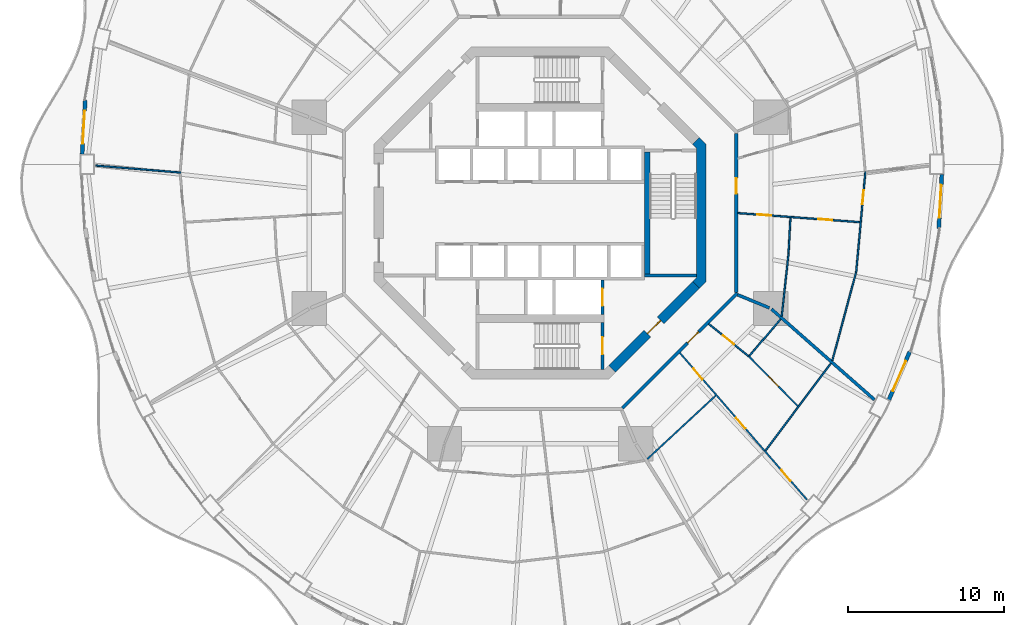
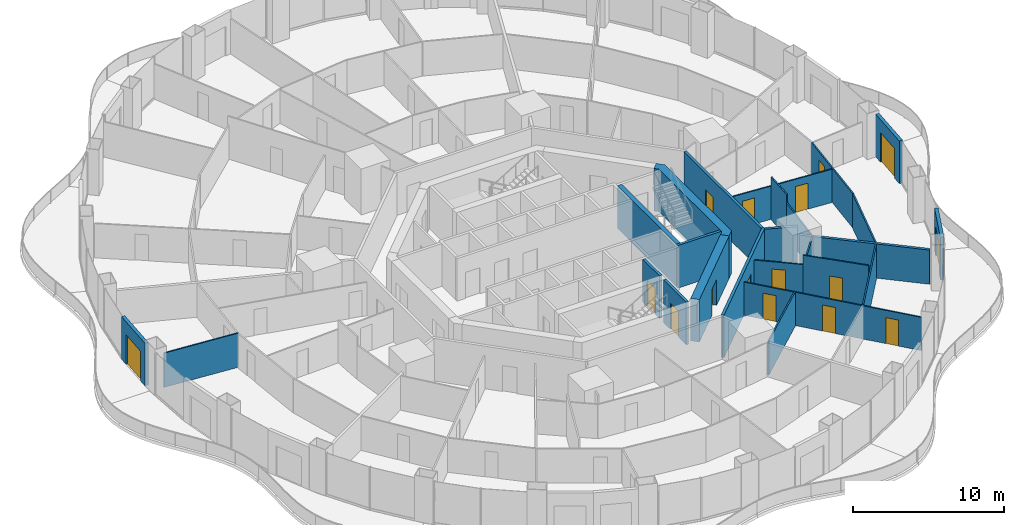
# One storey, part 16 of 22: 25 walls, 16 doors, 16 openings.
"""IFC4 building model written with IfcOpenShell, lengths in metres."""

from ifc_helpers import new_model, si_unit, direction, frame, frame_2d, origin, place, context, subcontext, project, spatial, polyline, rectangle, outline, extrude, material, layer, layer_set, type_object, element, fill, save


model = new_model("IFC4")

# Units and contexts
model_context = context("Model", 3, precision=1e-05, world=origin(), true_north=direction((0.0, 1.0)))
body_context = subcontext(model_context, "Body", "Model", "MODEL_VIEW")
ifc_project = project(units=[si_unit("LENGTHUNIT", "METRE"), si_unit("AREAUNIT", "SQUARE_METRE"), si_unit("VOLUMEUNIT", "CUBIC_METRE"), si_unit("PLANEANGLEUNIT", "RADIAN"), si_unit("MASSUNIT", "GRAM", prefix="KILO")], contexts=[model_context])

# Site, building, storey
site_placement = place(None, origin())
site = spatial("IfcSite", under=ifc_project, at=site_placement, CompositionType="ELEMENT")
building_placement = place(site_placement, origin())
building = spatial("IfcBuilding", under=site, at=building_placement, Name="Nagisa Residences", CompositionType="ELEMENT")
storey_placement = place(building_placement, frame((0.0, 0.0, 91.800048828125)))
storey = spatial("IfcBuildingStorey", under=building, at=storey_placement, Name="L22", CompositionType="ELEMENT", Elevation=91.800048828125)

# Walls
ifc_material_1 = material(Name="Gypsum board on steel studs", Category="steel")
ifc_layer_1 = layer(ifc_material_1, 0.199951171875)
ifc_layer_set_1 = layer_set([ifc_layer_1], Name="Apartment compartment wall EI60 200")
wall_type_1 = type_object("IfcWallType", Name="Apartment compartment wall EI60 200", PredefinedType="PARTITIONING", material=ifc_layer_set_1)
wall_1_placement = place(storey_placement, frame((12.6572265625, -5.24267578125, 0.0), z_axis=(0.0, 0.0, 1.0), x_axis=(0.923876145736, -0.382691608661, 0.0)))
element("IfcWall", 1, at=wall_1_placement, inside=storey, type_object=wall_type_1, Name="wall:L22:u08", PredefinedType="PARTITIONING", context=body_context, shape_type="SweptSolid", body=[
    extrude(rectangle(XDim=2.19970703125, YDim=0.199951171875, at=frame_2d((1.099853515625, 0.0))), origin(), (0.0, 0.0, 1.0), 3.43994140625),
])
wall_2_placement = place(storey_placement, frame((14.819580078125, -6.156005859375, 0.0), z_axis=(0.0, 0.0, 1.0), x_axis=(0.750582231659, -0.660777052808, 0.0)))
element("IfcWall", 2, at=wall_2_placement, inside=storey, type_object=wall_type_1, Name="wall:L22:u09", PredefinedType="PARTITIONING", context=body_context, shape_type="SweptSolid", body=[
    extrude(rectangle(XDim=8.781005859375, YDim=0.199951171875, at=frame_2d((4.390625, 0.0))), origin(), (0.0, 0.0, 1.0), 2.761962890625),
])

# Wall, opening, door
ifc_material_2 = material(Name="Gypsum board on steel studs", Category="steel")
ifc_layer_2 = layer(ifc_material_2, 0.199951171875)
ifc_layer_set_2 = layer_set([ifc_layer_2], Name="Apartment entry wall EI60 200")
wall_type_2 = type_object("IfcWallType", Name="Apartment entry wall EI60 200", PredefinedType="PARTITIONING", material=ifc_layer_set_2)
wall_3_placement = place(storey_placement, frame((12.564697265625, -5.1044921875, 0.0), z_axis=(0.0, 0.0, 1.0), x_axis=(0.0, 1.0, 0.0)))
wall_3 = element("IfcWall", 3, at=wall_3_placement, inside=storey, type_object=wall_type_2, Name="wall:L22:u10", PredefinedType="PARTITIONING", context=body_context, shape_type="SweptSolid", body=[
    extrude(rectangle(XDim=10.208984375, YDim=0.199951171875, at=frame_2d((5.1044921875, 0.0))), origin(), (0.0, 0.0, 1.0), 3.43994140625),
])
opening_1_placement = place(wall_3_placement, frame((6.33935546875, 0.0, 0.0)))
opening_1 = element("IfcOpeningElement", 4, at=opening_1_placement, cuts=wall_3, Name="Opening L22-U44", PredefinedType="OPENING", context=body_context, shape_type="SweptSolid", body=[
    extrude(rectangle(XDim=1.0, YDim=2.10009765625, at=frame_2d((0.5, 1.050048828125))), frame((0.0, 0.10986328125, 0.0), z_axis=(0.0, -1.0, 0.0), x_axis=(1.0, 0.0, 0.0)), (0.0, 0.0, 1.0), 0.219970703125),
])
ifc_material_3 = material(Name="Timber fire door set", Category="wood")
door_type_1 = type_object("IfcDoorType", Name="Apartment entry door FD30S 1000x2100", OperationType="NOTDEFINED", PredefinedType="DOOR", material=ifc_material_3)
door_1_placement = place(opening_1_placement, frame((1.0, 0.0, 0.0), x_axis=(-1.0, 0.0, 0.0)))
door_1 = element("IfcDoor", 5, at=door_1_placement, inside=storey, type_object=door_type_1, Name="Entry door, Apartment 22E", OperationType="SINGLE_SWING_LEFT", OverallHeight=2.10009765625, OverallWidth=1.0, PredefinedType="DOOR", context=body_context, shape_type="SweptSolid", body=[
    extrude(rectangle(XDim=1.0, YDim=2.10009765625, at=frame_2d((0.5, 1.050048828125))), frame((0.0, 0.02490234375, 0.0), z_axis=(0.0, -1.0, 0.0), x_axis=(1.0, 0.0, 0.0)), (0.0, 0.0, 1.0), 0.050048828125),
])
fill(opening_1, door_1)

wall_4_placement = place(storey_placement, frame((5.275146484375, -12.494140625, 0.0), z_axis=(0.0, 0.0, 1.0), x_axis=(0.707106781187, 0.707106781187, 0.0)))
wall_4 = element("IfcWall", 6, at=wall_4_placement, inside=storey, type_object=wall_type_2, Name="wall:L22:u17", PredefinedType="PARTITIONING", context=body_context, shape_type="SweptSolid", body=[
    extrude(rectangle(XDim=10.4091796875, YDim=0.199951171875, at=frame_2d((5.20458984375, 0.0))), origin(), (0.0, 0.0, 1.0), 3.43994140625),
])
opening_2_placement = place(wall_4_placement, frame((5.905517578125, 0.0, 0.0)))
opening_2 = element("IfcOpeningElement", 7, at=opening_2_placement, cuts=wall_4, Name="Opening L22-U37", PredefinedType="OPENING", context=body_context, shape_type="SweptSolid", body=[
    extrude(rectangle(XDim=1.0, YDim=2.10009765625, at=frame_2d((0.5, 1.050048828125))), frame((0.0, 0.10986328125, 0.0), z_axis=(0.0, -1.0, 0.0), x_axis=(1.0, 0.0, 0.0)), (0.0, 0.0, 1.0), 0.219970703125),
])
door_2_placement = place(opening_2_placement, frame((1.0, 0.0, 0.0), x_axis=(-1.0, 0.0, 0.0)))
door_2 = element("IfcDoor", 8, at=door_2_placement, inside=storey, type_object=door_type_1, Name="Entry door, Apartment 22D", OperationType="SINGLE_SWING_RIGHT", OverallHeight=2.10009765625, OverallWidth=1.0, PredefinedType="DOOR", context=body_context, shape_type="SweptSolid", body=[
    extrude(rectangle(XDim=1.0, YDim=2.10009765625, at=frame_2d((0.5, 1.050048828125))), frame((0.0, 0.02490234375, 0.0), z_axis=(0.0, -1.0, 0.0), x_axis=(1.0, 0.0, 0.0)), (0.0, 0.0, 1.0), 0.050048828125),
])
fill(opening_2, door_2)

ifc_material_4 = material(Name="Gypsum board on steel studs", Category="steel")
ifc_layer_3 = layer(ifc_material_4, 0.10009765625)
ifc_layer_set_3 = layer_set([ifc_layer_3], Name="Apartment partition 100")
wall_type_3 = type_object("IfcWallType", Name="Apartment partition 100", PredefinedType="PARTITIONING", material=ifc_layer_set_3)
wall_5_placement = place(storey_placement, frame((20.833984375, 2.64208984375, 0.0), z_axis=(0.0, 0.0, 1.0), x_axis=(-0.091385407685, -0.995815599025, 0.0)))
wall_5 = element("IfcWall", 9, at=wall_5_placement, inside=storey, type_object=wall_type_3, Name="wall:L22:u20", PredefinedType="PARTITIONING", context=body_context, shape_type="SweptSolid", body=[
    extrude(rectangle(XDim=6.50244140625, YDim=0.10009765625, at=frame_2d((3.251220703125, 0.0))), origin(), (0.0, 0.0, 1.0), 2.761962890625),
])
opening_3_placement = place(wall_5_placement, frame((1.20068359375, 0.0, 0.0)))
opening_3 = element("IfcOpeningElement", 10, at=opening_3_placement, cuts=wall_5, Name="Opening L22-U49", PredefinedType="OPENING", context=body_context, shape_type="SweptSolid", body=[
    extrude(rectangle(XDim=0.89990234375, YDim=2.10009765625, at=frame_2d((0.449951171875, 1.050048828125))), frame((0.0, 0.06005859375, 0.0), z_axis=(0.0, -1.0, 0.0), x_axis=(1.0, 0.0, 0.0)), (0.0, 0.0, 1.0), 0.1201171875),
])
ifc_material_5 = material(Name="Timber door set", Category="wood")
door_type_2 = type_object("IfcDoorType", Name="Apartment door 900x2100", OperationType="NOTDEFINED", PredefinedType="DOOR", material=ifc_material_5)
door_3_placement = place(opening_3_placement, origin())
door_3 = element("IfcDoor", 11, at=door_3_placement, inside=storey, type_object=door_type_2, Name="Door to family room, Apartment 22E", OperationType="SINGLE_SWING_LEFT", OverallHeight=2.10009765625, OverallWidth=0.89990234375, PredefinedType="DOOR", context=body_context, shape_type="SweptSolid", body=[
    extrude(rectangle(XDim=0.89990234375, YDim=2.10009765625, at=frame_2d((0.449951171875, 1.050048828125))), frame((0.0, 0.02490234375, 0.0), z_axis=(0.0, -1.0, 0.0), x_axis=(1.0, 0.0, 0.0)), (0.0, 0.0, 1.0), 0.050048828125),
])
fill(opening_3, door_3)

# Walls
wall_6_placement = place(storey_placement, frame((-23.01171875, 2.588134765625, 0.0), z_axis=(0.0, 0.0, 1.0), x_axis=(-0.996680765347, 0.081409164031, 0.0)))
element("IfcWall", 12, at=wall_6_placement, inside=storey, type_object=wall_type_3, Name="wall:L22:u59", PredefinedType="PARTITIONING", context=body_context, shape_type="SweptSolid", body=[
    extrude(rectangle(XDim=5.4580078125, YDim=0.10009765625, at=frame_2d((2.72900390625, 0.0))), origin(), (0.0, 0.0, 1.0), 2.761962890625),
])
wall_7_placement = place(storey_placement, frame((6.861083984375, -15.768310546875, 0.0), z_axis=(0.0, 0.0, 1.0), x_axis=(0.733011256509, 0.680216508056, 0.0)))
element("IfcWall", 13, at=wall_7_placement, inside=storey, type_object=wall_type_3, Name="wall:L22:u83", PredefinedType="PARTITIONING", context=body_context, shape_type="SweptSolid", body=[
    extrude(rectangle(XDim=5.988525390625, YDim=0.10009765625, at=frame_2d((2.994140625, 0.0))), origin(), (0.0, 0.0, 1.0), 2.761962890625),
])

# Wall, openings, doors
wall_8_placement = place(storey_placement, frame((8.949951171875, -8.960205078125, 0.0), z_axis=(0.0, 0.0, 1.0), x_axis=(0.65441081073, -0.756139200676, 0.0)))
wall_8 = element("IfcWall", 14, at=wall_8_placement, inside=storey, type_object=wall_type_3, Name="wall:L22:u85", PredefinedType="PARTITIONING", context=body_context, shape_type="SweptSolid", body=[
    extrude(rectangle(XDim=12.450927734375, YDim=0.10009765625, at=frame_2d((6.2255859375, 0.0))), origin(), (0.0, 0.0, 1.0), 2.68701171875),
])
opening_4_placement = place(wall_8_placement, frame((1.335693359375, 0.0, 0.0)))
opening_4 = element("IfcOpeningElement", 15, at=opening_4_placement, cuts=wall_8, Name="Opening L22-U38", PredefinedType="OPENING", context=body_context, shape_type="SweptSolid", body=[
    extrude(rectangle(XDim=0.89990234375, YDim=2.10009765625, at=frame_2d((0.449951171875, 1.050048828125))), frame((0.0, 0.06005859375, 0.0), z_axis=(0.0, -1.0, 0.0), x_axis=(1.0, 0.0, 0.0)), (0.0, 0.0, 1.0), 0.1201171875),
])
opening_5_placement = place(wall_8_placement, frame((5.501220703125, 0.0, 0.0)))
opening_5 = element("IfcOpeningElement", 16, at=opening_5_placement, cuts=wall_8, Name="Opening L22-U40", PredefinedType="OPENING", context=body_context, shape_type="SweptSolid", body=[
    extrude(rectangle(XDim=0.89990234375, YDim=2.10009765625, at=frame_2d((0.449951171875, 1.050048828125))), frame((0.0, 0.06005859375, 0.0), z_axis=(0.0, -1.0, 0.0), x_axis=(1.0, 0.0, 0.0)), (0.0, 0.0, 1.0), 0.1201171875),
])
opening_6_placement = place(wall_8_placement, frame((9.940673828125, 0.0, 0.0)))
opening_6 = element("IfcOpeningElement", 17, at=opening_6_placement, cuts=wall_8, Name="Opening L22-U43", PredefinedType="OPENING", context=body_context, shape_type="SweptSolid", body=[
    extrude(rectangle(XDim=0.89990234375, YDim=2.10009765625, at=frame_2d((0.449951171875, 1.050048828125))), frame((0.0, 0.06005859375, 0.0), z_axis=(0.0, -1.0, 0.0), x_axis=(1.0, 0.0, 0.0)), (0.0, 0.0, 1.0), 0.1201171875),
])
door_4_placement = place(opening_4_placement, frame((0.89990234375, 0.0, 0.0), x_axis=(-1.0, 0.0, 0.0)))
door_4 = element("IfcDoor", 18, at=door_4_placement, inside=storey, type_object=door_type_2, Name="Door to store, Apartment 22D", OperationType="SINGLE_SWING_LEFT", OverallHeight=2.10009765625, OverallWidth=0.89990234375, PredefinedType="DOOR", context=body_context, shape_type="SweptSolid", body=[
    extrude(rectangle(XDim=0.89990234375, YDim=2.10009765625, at=frame_2d((0.449951171875, 1.050048828125))), frame((0.0, 0.02490234375, 0.0), z_axis=(0.0, -1.0, 0.0), x_axis=(1.0, 0.0, 0.0)), (0.0, 0.0, 1.0), 0.050048828125),
])
fill(opening_4, door_4)
door_5_placement = place(opening_5_placement, frame((0.89990234375, 0.0, 0.0), x_axis=(-1.0, 0.0, 0.0)))
door_5 = element("IfcDoor", 19, at=door_5_placement, inside=storey, type_object=door_type_2, Name="Door to kitchen, Apartment 22D", OperationType="SINGLE_SWING_LEFT", OverallHeight=2.10009765625, OverallWidth=0.89990234375, PredefinedType="DOOR", context=body_context, shape_type="SweptSolid", body=[
    extrude(rectangle(XDim=0.89990234375, YDim=2.10009765625, at=frame_2d((0.449951171875, 1.050048828125))), frame((0.0, 0.02490234375, 0.0), z_axis=(0.0, -1.0, 0.0), x_axis=(1.0, 0.0, 0.0)), (0.0, 0.0, 1.0), 0.050048828125),
])
fill(opening_5, door_5)
door_6_placement = place(opening_6_placement, origin())
door_6 = element("IfcDoor", 20, at=door_6_placement, inside=storey, type_object=door_type_2, Name="Door to bedroom, Apartment 22D", OperationType="SINGLE_SWING_LEFT", OverallHeight=2.10009765625, OverallWidth=0.89990234375, PredefinedType="DOOR", context=body_context, shape_type="SweptSolid", body=[
    extrude(rectangle(XDim=0.89990234375, YDim=2.10009765625, at=frame_2d((0.449951171875, 1.050048828125))), frame((0.0, 0.02490234375, 0.0), z_axis=(0.0, -1.0, 0.0), x_axis=(1.0, 0.0, 0.0)), (0.0, 0.0, 1.0), 0.050048828125),
])
fill(opening_6, door_6)

# Wall
wall_9_placement = place(storey_placement, frame((14.431884765625, -15.219482421875, 0.0), z_axis=(0.0, 0.0, 1.0), x_axis=(0.601001256685, 0.799248077548, 0.0)))
element("IfcWall", 21, at=wall_9_placement, inside=storey, type_object=wall_type_3, Name="wall:L22:u86", PredefinedType="PARTITIONING", context=body_context, shape_type="SweptSolid", body=[
    extrude(rectangle(XDim=6.980224609375, YDim=0.10009765625, at=frame_2d((3.490234375, 0.0))), origin(), (0.0, 0.0, 1.0), 2.761962890625),
])

# Wall, opening, door
wall_10_placement = place(storey_placement, frame((10.802490234375, -7.107421875, 0.0), z_axis=(0.0, 0.0, 1.0), x_axis=(0.776992142502, -0.62951029419, 0.0)))
wall_10 = element("IfcWall", 22, at=wall_10_placement, inside=storey, type_object=wall_type_3, Name="wall:L22:u87", PredefinedType="PARTITIONING", context=body_context, shape_type="SweptSolid", body=[
    extrude(rectangle(XDim=3.2626953125, YDim=0.10009765625, at=frame_2d((1.63134765625, 0.0))), origin(), (0.0, 0.0, 1.0), 2.68701171875),
])
opening_7_placement = place(wall_10_placement, frame((1.181396484375, 0.0, 0.0)))
opening_7 = element("IfcOpeningElement", 23, at=opening_7_placement, cuts=wall_10, Name="Opening L22-U39", PredefinedType="OPENING", context=body_context, shape_type="SweptSolid", body=[
    extrude(rectangle(XDim=0.89990234375, YDim=2.10009765625, at=frame_2d((0.449951171875, 1.050048828125))), frame((0.0, 0.06005859375, 0.0), z_axis=(0.0, -1.0, 0.0), x_axis=(1.0, 0.0, 0.0)), (0.0, 0.0, 1.0), 0.1201171875),
])
door_7_placement = place(opening_7_placement, origin())
door_7 = element("IfcDoor", 24, at=door_7_placement, inside=storey, type_object=door_type_2, Name="Door to family bathroom, Apartment 22D", OperationType="SINGLE_SWING_LEFT", OverallHeight=2.10009765625, OverallWidth=0.89990234375, PredefinedType="DOOR", context=body_context, shape_type="SweptSolid", body=[
    extrude(rectangle(XDim=0.89990234375, YDim=2.10009765625, at=frame_2d((0.449951171875, 1.050048828125))), frame((0.0, 0.02490234375, 0.0), z_axis=(0.0, -1.0, 0.0), x_axis=(1.0, 0.0, 0.0)), (0.0, 0.0, 1.0), 0.050048828125),
])
fill(opening_7, door_7)

wall_11_placement = place(storey_placement, frame((13.34130859375, -9.1572265625, 0.0), z_axis=(0.0, 0.0, 1.0), x_axis=(0.701624526877, -0.712546856904, 0.0)))
wall_11 = element("IfcWall", 25, at=wall_11_placement, inside=storey, type_object=wall_type_3, Name="wall:L22:u88", PredefinedType="PARTITIONING", context=body_context, shape_type="SweptSolid", body=[
    extrude(rectangle(XDim=4.51513671875, YDim=0.10009765625, at=frame_2d((2.257568359375, 0.0))), origin(), (0.0, 0.0, 1.0), 3.43994140625),
])
opening_8_placement = place(wall_11_placement, frame((1.83251953125, 0.0, 0.0)))
opening_8 = element("IfcOpeningElement", 26, at=opening_8_placement, cuts=wall_11, Name="Opening L22-U41", PredefinedType="OPENING", context=body_context, shape_type="SweptSolid", body=[
    extrude(rectangle(XDim=0.89990234375, YDim=2.10009765625, at=frame_2d((0.449951171875, 1.050048828125))), frame((0.0, 0.06005859375, 0.0), z_axis=(0.0, -1.0, 0.0), x_axis=(1.0, 0.0, 0.0)), (0.0, 0.0, 1.0), 0.1201171875),
])
door_8_placement = place(opening_8_placement, origin())
door_8 = element("IfcDoor", 27, at=door_8_placement, inside=storey, type_object=door_type_2, Name="Door to family bathroom, Apartment 22D", OperationType="SINGLE_SWING_LEFT", OverallHeight=2.10009765625, OverallWidth=0.89990234375, PredefinedType="DOOR", context=body_context, shape_type="SweptSolid", body=[
    extrude(rectangle(XDim=0.89990234375, YDim=2.10009765625, at=frame_2d((0.449951171875, 1.050048828125))), frame((0.0, 0.02490234375, 0.0), z_axis=(0.0, -1.0, 0.0), x_axis=(1.0, 0.0, 0.0)), (0.0, 0.0, 1.0), 0.050048828125),
])
fill(opening_8, door_8)

# Walls
wall_12_placement = place(storey_placement, frame((13.40869140625, -9.154541015625, 0.0), z_axis=(0.0, 0.0, 1.0), x_axis=(0.646130325831, 0.763227097293, 0.0)))
element("IfcWall", 28, at=wall_12_placement, inside=storey, type_object=wall_type_3, Name="wall:L22:u89", PredefinedType="PARTITIONING", context=body_context, shape_type="SweptSolid", body=[
    extrude(rectangle(XDim=3.083740234375, YDim=0.10009765625, at=frame_2d((1.5419921875, 0.0))), origin(), (0.0, 0.0, 1.0), 2.761962890625),
])
wall_13_placement = place(storey_placement, frame((15.4765625, -6.62548828125, 0.0), z_axis=(0.0, 0.0, 1.0), x_axis=(0.107561928907, 0.994198386365, 0.0)))
element("IfcWall", 29, at=wall_13_placement, inside=storey, type_object=wall_type_3, Name="wall:L22:u90", PredefinedType="PARTITIONING", context=body_context, shape_type="SweptSolid", body=[
    extrude(rectangle(XDim=4.072021484375, YDim=0.10009765625, at=frame_2d((2.0361328125, 0.0))), origin(), (0.0, 0.0, 1.0), 2.761962890625),
])
wall_14_placement = place(storey_placement, frame((18.713134765625, -9.464111328125, 0.0), z_axis=(0.0, 0.0, 1.0), x_axis=(0.260279646259, 0.965533275316, 0.0)))
element("IfcWall", 30, at=wall_14_placement, inside=storey, type_object=wall_type_3, Name="wall:L22:u91", PredefinedType="PARTITIONING", context=body_context, shape_type="SweptSolid", body=[
    extrude(rectangle(XDim=5.83349609375, YDim=0.10009765625, at=frame_2d((2.916748046875, 0.0))), origin(), (0.0, 0.0, 1.0), 2.761962890625),
])
wall_15_placement = place(storey_placement, frame((15.911865234375, -2.5771484375, 0.0), z_axis=(0.0, 0.0, 1.0), x_axis=(0.053749298185, 0.998554461682, 0.0)))
element("IfcWall", 31, at=wall_15_placement, inside=storey, type_object=wall_type_3, Name="wall:L22:u92", PredefinedType="PARTITIONING", context=body_context, shape_type="SweptSolid", body=[
    extrude(rectangle(XDim=2.27099609375, YDim=0.10009765625, at=frame_2d((1.135498046875, 0.0))), origin(), (0.0, 0.0, 1.0), 3.43994140625),
])

# Wall, openings, doors
wall_16_placement = place(storey_placement, frame((12.66455078125, -0.007568359375, 0.0), z_axis=(0.0, 0.0, 1.0), x_axis=(0.997222647159, -0.074478130978, 0.0)))
wall_16 = element("IfcWall", 32, at=wall_16_placement, inside=storey, type_object=wall_type_3, Name="wall:L22:u93", PredefinedType="PARTITIONING", context=body_context, shape_type="SweptSolid", body=[
    extrude(rectangle(XDim=7.84423828125, YDim=0.10009765625, at=frame_2d((3.922119140625, 0.0))), origin(), (0.0, 0.0, 1.0), 2.68701171875),
])
opening_9_placement = place(wall_16_placement, frame((1.24072265625, 0.0, 0.0)))
opening_9 = element("IfcOpeningElement", 33, at=opening_9_placement, cuts=wall_16, Name="Opening L22-U45", PredefinedType="OPENING", context=body_context, shape_type="SweptSolid", body=[
    extrude(rectangle(XDim=0.89990234375, YDim=2.10009765625, at=frame_2d((0.449951171875, 1.050048828125))), frame((0.0, 0.06005859375, 0.0), z_axis=(0.0, -1.0, 0.0), x_axis=(1.0, 0.0, 0.0)), (0.0, 0.0, 1.0), 0.1201171875),
])
opening_10_placement = place(wall_16_placement, frame((5.162841796875, 0.0, 0.0)))
opening_10 = element("IfcOpeningElement", 34, at=opening_10_placement, cuts=wall_16, Name="Opening L22-U47", PredefinedType="OPENING", context=body_context, shape_type="SweptSolid", body=[
    extrude(rectangle(XDim=0.89990234375, YDim=2.10009765625, at=frame_2d((0.449951171875, 1.050048828125))), frame((0.0, 0.06005859375, 0.0), z_axis=(0.0, -1.0, 0.0), x_axis=(1.0, 0.0, 0.0)), (0.0, 0.0, 1.0), 0.1201171875),
])
door_9_placement = place(opening_9_placement, frame((0.89990234375, 0.0, 0.0), x_axis=(-1.0, 0.0, 0.0)))
door_9 = element("IfcDoor", 35, at=door_9_placement, inside=storey, type_object=door_type_2, Name="Door to store, Apartment 22E", OperationType="SINGLE_SWING_RIGHT", OverallHeight=2.10009765625, OverallWidth=0.89990234375, PredefinedType="DOOR", context=body_context, shape_type="SweptSolid", body=[
    extrude(rectangle(XDim=0.89990234375, YDim=2.10009765625, at=frame_2d((0.449951171875, 1.050048828125))), frame((0.0, 0.02490234375, 0.0), z_axis=(0.0, -1.0, 0.0), x_axis=(1.0, 0.0, 0.0)), (0.0, 0.0, 1.0), 0.050048828125),
])
fill(opening_9, door_9)
door_10_placement = place(opening_10_placement, frame((0.89990234375, 0.0, 0.0), x_axis=(-1.0, 0.0, 0.0)))
door_10 = element("IfcDoor", 36, at=door_10_placement, inside=storey, type_object=door_type_2, Name="Door to family room, Apartment 22E", OperationType="SINGLE_SWING_RIGHT", OverallHeight=2.10009765625, OverallWidth=0.89990234375, PredefinedType="DOOR", context=body_context, shape_type="SweptSolid", body=[
    extrude(rectangle(XDim=0.89990234375, YDim=2.10009765625, at=frame_2d((0.449951171875, 1.050048828125))), frame((0.0, 0.02490234375, 0.0), z_axis=(0.0, -1.0, 0.0), x_axis=(1.0, 0.0, 0.0)), (0.0, 0.0, 1.0), 0.050048828125),
])
fill(opening_10, door_10)

# Wall, opening, door
ifc_material_6 = material(Name="Precast concrete C40/50", Category="concrete")
ifc_layer_4 = layer(ifc_material_6, 0.25)
ifc_layer_set_4 = layer_set([ifc_layer_4], Name="BALCONY DOOR WALL 250")
wall_type_4 = type_object("IfcWallType", Name="BALCONY DOOR WALL 250", PredefinedType="SOLIDWALL", material=ifc_layer_set_4)
wall_17_placement = place(storey_placement, frame((-29.332763671875, 3.759521484375, 0.0), z_axis=(0.0, 0.0, 1.0), x_axis=(0.057476526179, 0.99834685803, 0.0)))
wall_17 = element("IfcWall", 37, at=wall_17_placement, inside=storey, type_object=wall_type_4, Name="wall:L22:bay23", PredefinedType="SOLIDWALL", context=body_context, shape_type="SweptSolid", body=[
    extrude(rectangle(XDim=3.47021484375, YDim=0.25, at=frame_2d((1.735107421875, 0.0))), origin(), (0.0, 0.0, 1.0), 3.43994140625),
])
opening_11_placement = place(wall_17_placement, frame((0.68505859375, 0.0, 0.0)))
opening_11 = element("IfcOpeningElement", 38, at=opening_11_placement, cuts=wall_17, Name="Opening BD-L22-08", PredefinedType="OPENING", context=body_context, shape_type="SweptSolid", body=[
    extrude(rectangle(XDim=2.10009765625, YDim=2.39990234375, at=frame_2d((1.050048828125, 1.199951171875))), frame((0.0, 0.135009765625, 0.0), z_axis=(0.0, -1.0, 0.0), x_axis=(1.0, 0.0, 0.0)), (0.0, 0.0, 1.0), 0.27001953125),
])
ifc_material_7 = material(Name="Aluminium and clear glass", Category="aluminium")
door_type_3 = type_object("IfcDoorType", Name="BALCONY SLIDING DOOR 2100x2400", OperationType="SLIDING_TO_LEFT", PredefinedType="DOOR", material=ifc_material_7)
door_11_placement = place(opening_11_placement, origin())
door_11 = element("IfcDoor", 39, at=door_11_placement, inside=storey, type_object=door_type_3, Name="door:L22:bay23", OperationType="SLIDING_TO_LEFT", OverallHeight=2.39990234375, OverallWidth=2.10009765625, PredefinedType="DOOR", context=body_context, shape_type="SweptSolid", body=[
    extrude(rectangle(XDim=2.10009765625, YDim=2.39990234375, at=frame_2d((1.050048828125, 1.199951171875))), frame((0.0, 0.02490234375, 0.0), z_axis=(0.0, -1.0, 0.0), x_axis=(1.0, 0.0, 0.0)), (0.0, 0.0, 1.0), 0.050048828125),
])
fill(opening_11, door_11)

wall_18_placement = place(storey_placement, frame((23.672119140625, -8.892822265625, 0.0), z_axis=(0.0, 0.0, 1.0), x_axis=(-0.397621629246, -0.917549475481, 0.0)))
wall_18 = element("IfcWall", 40, at=wall_18_placement, inside=storey, type_object=wall_type_4, Name="wall:L22:bay44", PredefinedType="SOLIDWALL", context=body_context, shape_type="SweptSolid", body=[
    extrude(rectangle(XDim=3.37939453125, YDim=0.25, at=frame_2d((1.689697265625, 0.0))), origin(), (0.0, 0.0, 1.0), 3.43994140625),
])
opening_12_placement = place(wall_18_placement, frame((0.6396484375, 0.0, 0.0)))
opening_12 = element("IfcOpeningElement", 41, at=opening_12_placement, cuts=wall_18, Name="Opening BD-L22-15", PredefinedType="OPENING", context=body_context, shape_type="SweptSolid", body=[
    extrude(rectangle(XDim=2.10009765625, YDim=2.39990234375, at=frame_2d((1.050048828125, 1.199951171875))), frame((0.0, 0.135009765625, 0.0), z_axis=(0.0, -1.0, 0.0), x_axis=(1.0, 0.0, 0.0)), (0.0, 0.0, 1.0), 0.27001953125),
])
door_12_placement = place(opening_12_placement, origin())
door_12 = element("IfcDoor", 42, at=door_12_placement, inside=storey, type_object=door_type_3, Name="door:L22:bay44", OperationType="SLIDING_TO_LEFT", OverallHeight=2.39990234375, OverallWidth=2.10009765625, PredefinedType="DOOR", context=body_context, shape_type="SweptSolid", body=[
    extrude(rectangle(XDim=2.10009765625, YDim=2.39990234375, at=frame_2d((1.050048828125, 1.199951171875))), frame((0.0, 0.02490234375, 0.0), z_axis=(0.0, -1.0, 0.0), x_axis=(1.0, 0.0, 0.0)), (0.0, 0.0, 1.0), 0.050048828125),
])
fill(opening_12, door_12)

wall_19_placement = place(storey_placement, frame((25.73291015625, 2.47607421875, 0.0), z_axis=(0.0, 0.0, 1.0), x_axis=(-0.057542602614, -0.998343051703, 0.0)))
wall_19 = element("IfcWall", 43, at=wall_19_placement, inside=storey, type_object=wall_type_4, Name="wall:L22:bay47", PredefinedType="SOLIDWALL", context=body_context, shape_type="SweptSolid", body=[
    extrude(rectangle(XDim=3.470703125, YDim=0.25, at=frame_2d((1.7353515625, 0.0))), origin(), (0.0, 0.0, 1.0), 3.43994140625),
])
opening_13_placement = place(wall_19_placement, frame((0.68505859375, 0.0, 0.0)))
opening_13 = element("IfcOpeningElement", 44, at=opening_13_placement, cuts=wall_19, Name="Opening BD-L22-16", PredefinedType="OPENING", context=body_context, shape_type="SweptSolid", body=[
    extrude(rectangle(XDim=2.10009765625, YDim=2.39990234375, at=frame_2d((1.050048828125, 1.199951171875))), frame((0.0, 0.135009765625, 0.0), z_axis=(0.0, -1.0, 0.0), x_axis=(1.0, 0.0, 0.0)), (0.0, 0.0, 1.0), 0.27001953125),
])
door_13_placement = place(opening_13_placement, origin())
door_13 = element("IfcDoor", 45, at=door_13_placement, inside=storey, type_object=door_type_3, Name="door:L22:bay47", OperationType="SLIDING_TO_LEFT", OverallHeight=2.39990234375, OverallWidth=2.10009765625, PredefinedType="DOOR", context=body_context, shape_type="SweptSolid", body=[
    extrude(rectangle(XDim=2.10009765625, YDim=2.39990234375, at=frame_2d((1.050048828125, 1.199951171875))), frame((0.0, 0.02490234375, 0.0), z_axis=(0.0, -1.0, 0.0), x_axis=(1.0, 0.0, 0.0)), (0.0, 0.0, 1.0), 0.050048828125),
])
fill(opening_13, door_13)

ifc_material_8 = material(Name="Concrete C60", Category="concrete")
ifc_layer_5 = layer(ifc_material_8, 0.60009765625)
ifc_layer_set_5 = layer_set([ifc_layer_5], Name="Core shear wall 600")
wall_type_5 = type_object("IfcWallType", Name="Core shear wall 600", PredefinedType="SHEAR", material=ifc_layer_set_5)
wall_20_placement = place(storey_placement, frame((4.613037109375, -9.98828125, 0.0), z_axis=(0.0, 0.0, 1.0), x_axis=(0.707106781187, 0.707106781187, 0.0)))
wall_20 = element("IfcWall", 46, at=wall_20_placement, inside=storey, type_object=wall_type_5, Name="wall:L22:core:flat7", PredefinedType="SHEAR", context=body_context, shape_type="SweptSolid", body=[
    extrude(rectangle(XDim=7.601806640625, YDim=0.60009765625, at=frame_2d((3.80078125, 0.0))), origin(), (0.0, 0.0, 1.0), 3.43994140625),
])
opening_14_placement = place(wall_20_placement, frame((3.200927734375, 0.0, 0.0)))
opening_14 = element("IfcOpeningElement", 47, at=opening_14_placement, cuts=wall_20, Name="Opening L22-C16", PredefinedType="OPENING", context=body_context, shape_type="SweptSolid", body=[
    extrude(rectangle(XDim=1.199951171875, YDim=2.10009765625, at=frame_2d((0.60009765625, 1.050048828125))), frame((0.0, 0.31005859375, 0.0), z_axis=(0.0, -1.0, 0.0), x_axis=(1.0, 0.0, 0.0)), (0.0, 0.0, 1.0), 0.6201171875),
])
ifc_material_9 = material(Name="Steel fire door", Category="steel")
door_type_4 = type_object("IfcDoorType", Name="Fire door EI60 1200x2100 single swing", OperationType="NOTDEFINED", PredefinedType="DOOR", material=ifc_material_9)
door_14_placement = place(opening_14_placement, origin())
door_14 = element("IfcDoor", 48, at=door_14_placement, inside=storey, type_object=door_type_4, Name="Firefighting lobby 2 door L22", OperationType="SINGLE_SWING_RIGHT", OverallHeight=2.10009765625, OverallWidth=1.199951171875, PredefinedType="DOOR", context=body_context, shape_type="SweptSolid", body=[
    extrude(rectangle(XDim=1.199951171875, YDim=2.10009765625, at=frame_2d((0.60009765625, 1.050048828125))), frame((0.0, 0.02490234375, 0.0), z_axis=(0.0, -1.0, 0.0), x_axis=(1.0, 0.0, 0.0)), (0.0, 0.0, 1.0), 0.050048828125),
])
fill(opening_14, door_14)

# Wall
wall_21_placement = place(storey_placement, origin())
element("IfcWall", 49, at=wall_21_placement, inside=storey, type_object=wall_type_5, Name="wall:L22:core:flat0", PredefinedType="SHEAR", context=body_context, shape_type="SweptSolid", body=[
    extrude(outline(polyline([(9.776123046875, -4.40087890625), (10.024658203125, -4.15234375), (10.024658203125, -3.801025390625), (10.024658203125, 4.15234375), (9.776123046875, 4.40087890625), (10.200439453125, 4.8251953125), (10.62451171875, 4.40087890625), (10.62451171875, -4.40087890625), (10.200439453125, -4.8251953125), (9.776123046875, -4.40087890625)])), origin(), (0.0, 0.0, 1.0), 3.43994140625),
])

# Wall, opening, door
ifc_material_10 = material(Name="Concrete C60", Category="concrete")
ifc_layer_6 = layer(ifc_material_10, 0.199951171875)
ifc_layer_set_6 = layer_set([ifc_layer_6], Name="Lift shaft wall 200")
wall_type_6 = type_object("IfcWallType", Name="Lift shaft wall 200", PredefinedType="SOLIDWALL", material=ifc_layer_set_6)
wall_22_placement = place(storey_placement, frame((4.0, -6.5, 0.0), z_axis=(0.0, 0.0, 1.0), x_axis=(0.0, 1.0, 0.0)))
wall_22 = element("IfcWall", 50, at=wall_22_placement, inside=storey, type_object=wall_type_6, Name="wall:L22:Sb3", PredefinedType="SOLIDWALL", context=body_context, shape_type="SweptSolid", body=[
    extrude(rectangle(XDim=2.199951171875, YDim=0.199951171875, at=frame_2d((1.10009765625, 0.0))), origin(), (0.0, 0.0, 1.0), 3.43994140625),
])
opening_15_placement = place(wall_22_placement, frame((0.550048828125, 0.0, 0.0)))
opening_15 = element("IfcOpeningElement", 51, at=opening_15_placement, cuts=wall_22, Name="Opening L22-C07", PredefinedType="OPENING", context=body_context, shape_type="SweptSolid", body=[
    extrude(rectangle(XDim=1.10009765625, YDim=2.10009765625, at=frame_2d((0.550048828125, 1.050048828125))), frame((0.0, 0.10986328125, 0.0), z_axis=(0.0, -1.0, 0.0), x_axis=(1.0, 0.0, 0.0)), (0.0, 0.0, 1.0), 0.219970703125),
])
ifc_material_11 = material(Name="Stainless steel", Category="steel")
door_type_5 = type_object("IfcDoorType", Name="Lift landing door 1100x2100", OperationType="DOUBLE_DOOR_SLIDING", PredefinedType="DOOR", material=ifc_material_11)
door_15_placement = place(opening_15_placement, origin())
door_15 = element("IfcDoor", 52, at=door_15_placement, inside=storey, type_object=door_type_5, Name="Landing door FL2 L22", OperationType="DOUBLE_DOOR_SLIDING", OverallHeight=2.10009765625, OverallWidth=1.10009765625, PredefinedType="DOOR", context=body_context, shape_type="SweptSolid", body=[
    extrude(rectangle(XDim=1.10009765625, YDim=2.10009765625, at=frame_2d((0.550048828125, 1.050048828125))), frame((0.0, 0.02490234375, 0.0), z_axis=(0.0, -1.0, 0.0), x_axis=(1.0, 0.0, 0.0)), (0.0, 0.0, 1.0), 0.050048828125),
])
fill(opening_15, door_15)

ifc_material_12 = material(Name="Concrete C60", Category="concrete")
ifc_layer_7 = layer(ifc_material_12, 0.199951171875)
ifc_layer_set_7 = layer_set([ifc_layer_7], Name="Stair enclosure wall 200")
wall_type_7 = type_object("IfcWallType", Name="Stair enclosure wall 200", PredefinedType="SOLIDWALL", material=ifc_layer_set_7)
wall_23_placement = place(storey_placement, frame((4.0, -10.024658203125, 0.0), z_axis=(0.0, 0.0, 1.0), x_axis=(0.0, 1.0, 0.0)))
wall_23 = element("IfcWall", 53, at=wall_23_placement, inside=storey, type_object=wall_type_7, Name="wall:L22:SS_e", PredefinedType="SOLIDWALL", context=body_context, shape_type="SweptSolid", body=[
    extrude(rectangle(XDim=3.0, YDim=0.199951171875, at=frame_2d((1.5, 0.0))), origin(), (0.0, 0.0, 1.0), 3.43994140625),
])
opening_16_placement = place(wall_23_placement, frame((0.974609375, 0.0, 0.0)))
opening_16 = element("IfcOpeningElement", 54, at=opening_16_placement, cuts=wall_23, Name="Opening L22-C11", PredefinedType="OPENING", context=body_context, shape_type="SweptSolid", body=[
    extrude(rectangle(XDim=1.10009765625, YDim=2.10009765625, at=frame_2d((0.550048828125, 1.050048828125))), frame((0.0, 0.10986328125, 0.0), z_axis=(0.0, -1.0, 0.0), x_axis=(1.0, 0.0, 0.0)), (0.0, 0.0, 1.0), 0.219970703125),
])
ifc_material_13 = material(Name="Steel fire door", Category="steel")
door_type_6 = type_object("IfcDoorType", Name="Fire door EI90 1100x2100 single swing", OperationType="NOTDEFINED", PredefinedType="DOOR", material=ifc_material_13)
door_16_placement = place(opening_16_placement, origin())
door_16 = element("IfcDoor", 55, at=door_16_placement, inside=storey, type_object=door_type_6, Name="Stair door ST-S L22", OperationType="SINGLE_SWING_RIGHT", OverallHeight=2.10009765625, OverallWidth=1.10009765625, PredefinedType="DOOR", context=body_context, shape_type="SweptSolid", body=[
    extrude(rectangle(XDim=1.10009765625, YDim=2.10009765625, at=frame_2d((0.550048828125, 1.050048828125))), frame((0.0, 0.02490234375, 0.0), z_axis=(0.0, -1.0, 0.0), x_axis=(1.0, 0.0, 0.0)), (0.0, 0.0, 1.0), 0.050048828125),
])
fill(opening_16, door_16)

# Walls
wall_24_placement = place(storey_placement, origin())
element("IfcWall", 56, at=wall_24_placement, inside=storey, type_object=wall_type_7, Name="wall:L22:SE_w", PredefinedType="SOLIDWALL", context=body_context, shape_type="SweptSolid", body=[
    extrude(outline(polyline([(7.024658203125, -3.89990234375), (6.699951171875, -3.89990234375), (6.699951171875, 3.89990234375), (7.024658203125, 3.89990234375), (7.024658203125, -3.89990234375)])), origin(), (0.0, 0.0, 1.0), 3.43994140625),
])
wall_25_placement = place(storey_placement, origin())
element("IfcWall", 57, at=wall_25_placement, inside=storey, type_object=wall_type_7, Name="wall:L22:SE_s", PredefinedType="SOLIDWALL", context=body_context, shape_type="SweptSolid", body=[
    extrude(outline(polyline([(10.024658203125, -4.10009765625), (6.699951171875, -4.10009765625), (6.699951171875, -3.89990234375), (10.024658203125, -3.89990234375), (10.024658203125, -4.10009765625)])), origin(), (0.0, 0.0, 1.0), 3.43994140625),
])

save(model, "model.ifc")
